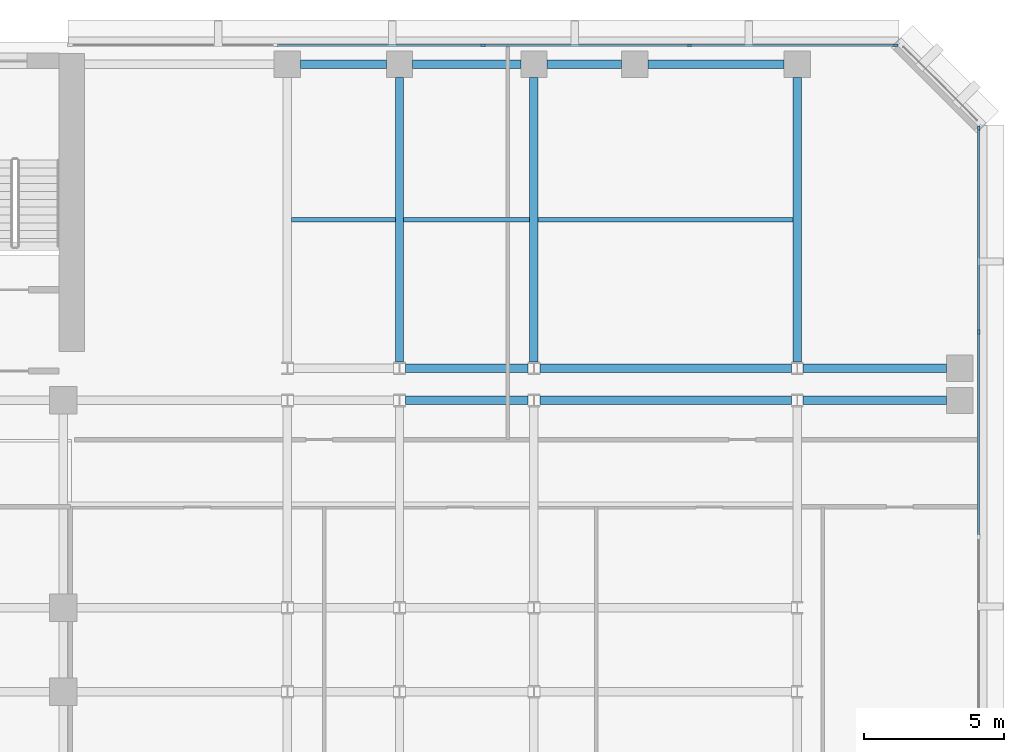
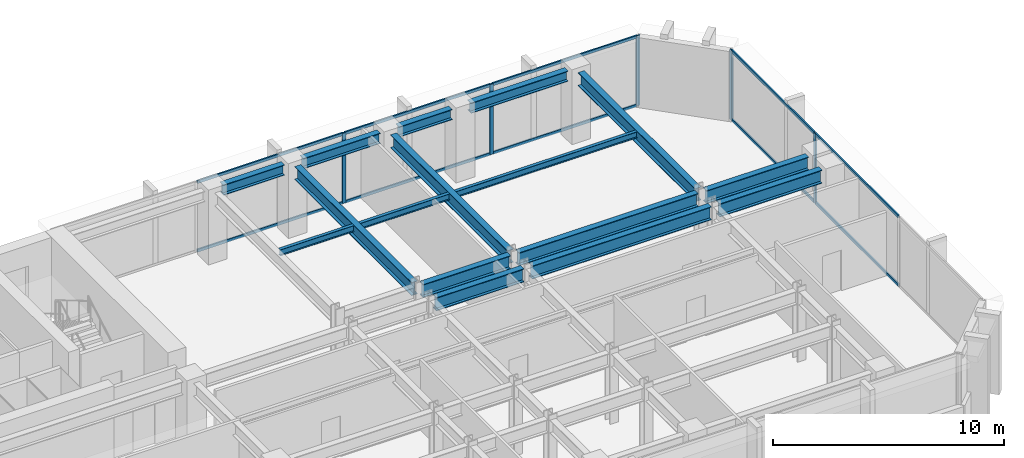
# One storey, part 5 of 13: 16 beams, 15 members, 2 elements without a shape of their own.
"""IFC4 building model written with IfcOpenShell, lengths in metres."""

from ifc_helpers import new_model, si_unit, direction, frame, origin, origin_2d, place, context, subcontext, project, spatial, rectangle, i_section, extrude, material, layer, layer_set, material_profile, profile_set, type_object, element, aggregate, save


model = new_model("IFC4")

# Units and contexts
model_context = context("Model", 3, precision=1e-05, world=origin(), true_north=direction((0.0, 1.0)))
body_context = subcontext(model_context, "Body", "Model", "MODEL_VIEW")
ifc_project = project(units=[si_unit("LENGTHUNIT", "METRE"), si_unit("AREAUNIT", "SQUARE_METRE"), si_unit("VOLUMEUNIT", "CUBIC_METRE"), si_unit("PLANEANGLEUNIT", "RADIAN"), si_unit("MASSUNIT", "GRAM", prefix="KILO")], contexts=[model_context])

# Site, building, storey
site_placement = place(None, origin())
site = spatial("IfcSite", under=ifc_project, at=site_placement, CompositionType="ELEMENT")
building_placement = place(site_placement, origin())
building = spatial("IfcBuilding", under=site, at=building_placement, Name="Kefirva Bronze Tower", CompositionType="ELEMENT")
storey_placement = place(building_placement, frame((0.0, 0.0, 102.6298828125)))
storey = spatial("IfcBuildingStorey", under=building, at=storey_placement, Name="L24", CompositionType="ELEMENT", Elevation=102.6298828125)

# Curtain wall, members
ifc_material_1 = material(Name="Bronze anodised aluminium", Category="aluminium")
ifc_layer = layer(ifc_material_1, 0.199951171875, Name="Bronze anodised aluminium")
ifc_layer_set = layer_set([ifc_layer], Name="Bronze anodised aluminium")
curtain_wall_type = type_object("IfcCurtainWallType", Name="Unitised Bronze Ribbon Curtain Wall Zone 1", PredefinedType="USERDEFINED", material=ifc_layer_set)
curtain_wall_1_placement = place(storey_placement, origin())
curtain_wall_1 = element("IfcCurtainWall", 1, at=curtain_wall_1_placement, inside=storey, type_object=curtain_wall_type, Name="L24 Curtain Wall 2", ObjectType="UNITISED CURTAIN WALL", PredefinedType="USERDEFINED")
ifc_material_profile_1 = material_profile(ifc_material_1, rectangle(XDim=0.074951171875, YDim=0.179931640625, at=origin_2d()), Name="ALU 75x180")
ifc_profile_set_1 = profile_set([ifc_material_profile_1], Name="Bronze anodised aluminium")
member_type_1 = type_object("IfcMemberType", Name="Bronze Mullion 75x180", PredefinedType="MULLION", material=ifc_profile_set_1)
member_1_placement = place(storey_placement, frame((55.8798828125, 35.6484375, 0.0), z_axis=(0.0, 0.0, 1.0), x_axis=(-1.0, 0.0, 0.0)))
member_1 = element("IfcMember", 2, at=member_1_placement, type_object=member_type_1, Name="CW-01 mullion 3", PredefinedType="MULLION", context=body_context, shape_type="SweptSolid", body=[
    extrude(rectangle(XDim=0.074951171875, YDim=0.179931640625, at=origin_2d()), origin(), (0.0, 0.0, 1.0), 3.710205078125),
])
member_2_placement = place(storey_placement, frame((55.8798828125, 42.907470703125, 0.0), z_axis=(0.0, 0.0, 1.0), x_axis=(-1.0, 0.0, 0.0)))
member_2 = element("IfcMember", 3, at=member_2_placement, type_object=member_type_1, Name="CW-01 mullion 4", PredefinedType="MULLION", context=body_context, shape_type="SweptSolid", body=[
    extrude(rectangle(XDim=0.074951171875, YDim=0.179931640625, at=origin_2d()), origin(), (0.0, 0.0, 1.0), 3.710205078125),
])

curtain_wall_2_placement = place(storey_placement, origin())
curtain_wall_2 = element("IfcCurtainWall", 4, at=curtain_wall_2_placement, inside=storey, type_object=curtain_wall_type, Name="L24 Curtain Wall 3", ObjectType="UNITISED CURTAIN WALL", PredefinedType="USERDEFINED")
member_3_placement = place(storey_placement, frame((52.907470703125, 45.8798828125, 0.0), z_axis=(0.0, 0.0, 1.0), x_axis=(0.0, -1.0, 0.0)))
member_3 = element("IfcMember", 5, at=member_3_placement, type_object=member_type_1, Name="CW-01 mullion 1", PredefinedType="MULLION", context=body_context, shape_type="SweptSolid", body=[
    extrude(rectangle(XDim=0.074951171875, YDim=0.179931640625, at=origin_2d()), origin(), (0.0, 0.0, 1.0), 3.710205078125),
])
member_4_placement = place(storey_placement, frame((45.56005859375, 45.8798828125, 0.0), z_axis=(0.0, 0.0, 1.0), x_axis=(0.0, -1.0, 0.0)))
member_4 = element("IfcMember", 6, at=member_4_placement, type_object=member_type_1, Name="CW-01 mullion 2", PredefinedType="MULLION", context=body_context, shape_type="SweptSolid", body=[
    extrude(rectangle(XDim=0.074951171875, YDim=0.179931640625, at=origin_2d()), origin(), (0.0, 0.0, 1.0), 3.710205078125),
])
member_5_placement = place(storey_placement, frame((38.175048828125, 45.8798828125, 0.0), z_axis=(0.0, 0.0, 1.0), x_axis=(0.0, -1.0, 0.0)))
member_5 = element("IfcMember", 7, at=member_5_placement, type_object=member_type_1, Name="CW-01 mullion 3", PredefinedType="MULLION", context=body_context, shape_type="SweptSolid", body=[
    extrude(rectangle(XDim=0.074951171875, YDim=0.179931640625, at=origin_2d()), origin(), (0.0, 0.0, 1.0), 3.710205078125),
])

# Member
ifc_material_profile_2 = material_profile(ifc_material_1, rectangle(XDim=0.074951171875, YDim=0.14990234375, at=origin_2d()), Name="ALU 75x150")
ifc_profile_set_2 = profile_set([ifc_material_profile_2], Name="Bronze anodised aluminium")
member_type_2 = type_object("IfcMemberType", Name="Bronze Transom 75x150", PredefinedType="USERDEFINED", material=ifc_profile_set_2)
member_6_placement = place(storey_placement, frame((55.8798828125, 28.38916015625, 0.03759765625), z_axis=(0.0, 1.0, 0.0), x_axis=(-1.0, 0.0, 0.0)))
member_6 = element("IfcMember", 8, at=member_6_placement, type_object=member_type_2, Name="CW-01 transom 2.1", ObjectType="TRANSOM", PredefinedType="USERDEFINED", context=body_context, shape_type="SweptSolid", body=[
    extrude(rectangle(XDim=0.074951171875, YDim=0.14990234375, at=origin_2d()), origin(), (0.0, 0.0, 1.0), 7.2216796875),
])

member_7_placement = place(storey_placement, frame((55.8798828125, 28.38916015625, 3.672607421875), z_axis=(0.0, 1.0, 0.0), x_axis=(-1.0, 0.0, 0.0)))
member_7 = element("IfcMember", 9, at=member_7_placement, type_object=member_type_2, Name="CW-01 transom 2.2", ObjectType="TRANSOM", PredefinedType="USERDEFINED", context=body_context, shape_type="SweptSolid", body=[
    extrude(rectangle(XDim=0.074951171875, YDim=0.14990234375, at=origin_2d()), origin(), (0.0, 0.0, 1.0), 7.2216796875),
])

member_8_placement = place(storey_placement, frame((55.8798828125, 35.685791015625, 0.03759765625), z_axis=(0.0, 1.0, 0.0), x_axis=(-1.0, 0.0, 0.0)))
member_8 = element("IfcMember", 10, at=member_8_placement, type_object=member_type_2, Name="CW-01 transom 3.1", ObjectType="TRANSOM", PredefinedType="USERDEFINED", context=body_context, shape_type="SweptSolid", body=[
    extrude(rectangle(XDim=0.074951171875, YDim=0.14990234375, at=origin_2d()), origin(), (0.0, 0.0, 1.0), 7.184326171875),
])

member_9_placement = place(storey_placement, frame((55.8798828125, 35.685791015625, 3.672607421875), z_axis=(0.0, 1.0, 0.0), x_axis=(-1.0, 0.0, 0.0)))
member_9 = element("IfcMember", 11, at=member_9_placement, type_object=member_type_2, Name="CW-01 transom 3.2", ObjectType="TRANSOM", PredefinedType="USERDEFINED", context=body_context, shape_type="SweptSolid", body=[
    extrude(rectangle(XDim=0.074951171875, YDim=0.14990234375, at=origin_2d()), origin(), (0.0, 0.0, 1.0), 7.184326171875),
])

aggregate(curtain_wall_1, [member_1, member_2, member_6, member_7, member_8, member_9])

member_10_placement = place(storey_placement, frame((52.8701171875, 45.8798828125, 0.03759765625), z_axis=(-1.0, 0.0, 0.0), x_axis=(0.0, -1.0, 0.0)))
member_10 = element("IfcMember", 12, at=member_10_placement, type_object=member_type_2, Name="CW-01 transom 1.1", ObjectType="TRANSOM", PredefinedType="USERDEFINED", context=body_context, shape_type="SweptSolid", body=[
    extrude(rectangle(XDim=0.074951171875, YDim=0.14990234375, at=origin_2d()), origin(), (0.0, 0.0, 1.0), 7.272705078125),
])

member_11_placement = place(storey_placement, frame((52.8701171875, 45.8798828125, 3.672607421875), z_axis=(-1.0, 0.0, 0.0), x_axis=(0.0, -1.0, 0.0)))
member_11 = element("IfcMember", 13, at=member_11_placement, type_object=member_type_2, Name="CW-01 transom 1.2", ObjectType="TRANSOM", PredefinedType="USERDEFINED", context=body_context, shape_type="SweptSolid", body=[
    extrude(rectangle(XDim=0.074951171875, YDim=0.14990234375, at=origin_2d()), origin(), (0.0, 0.0, 1.0), 7.272705078125),
])

member_12_placement = place(storey_placement, frame((45.5224609375, 45.8798828125, 0.03759765625), z_axis=(-1.0, 0.0, 0.0), x_axis=(0.0, -1.0, 0.0)))
member_12 = element("IfcMember", 14, at=member_12_placement, type_object=member_type_2, Name="CW-01 transom 2.1", ObjectType="TRANSOM", PredefinedType="USERDEFINED", context=body_context, shape_type="SweptSolid", body=[
    extrude(rectangle(XDim=0.074951171875, YDim=0.14990234375, at=origin_2d()), origin(), (0.0, 0.0, 1.0), 7.31005859375),
])

member_13_placement = place(storey_placement, frame((45.5224609375, 45.8798828125, 3.672607421875), z_axis=(-1.0, 0.0, 0.0), x_axis=(0.0, -1.0, 0.0)))
member_13 = element("IfcMember", 15, at=member_13_placement, type_object=member_type_2, Name="CW-01 transom 2.2", ObjectType="TRANSOM", PredefinedType="USERDEFINED", context=body_context, shape_type="SweptSolid", body=[
    extrude(rectangle(XDim=0.074951171875, YDim=0.14990234375, at=origin_2d()), origin(), (0.0, 0.0, 1.0), 7.31005859375),
])

member_14_placement = place(storey_placement, frame((38.137451171875, 45.8798828125, 0.03759765625), z_axis=(-1.0, 0.0, 0.0), x_axis=(0.0, -1.0, 0.0)))
member_14 = element("IfcMember", 16, at=member_14_placement, type_object=member_type_2, Name="CW-01 transom 3.1", ObjectType="TRANSOM", PredefinedType="USERDEFINED", context=body_context, shape_type="SweptSolid", body=[
    extrude(rectangle(XDim=0.074951171875, YDim=0.14990234375, at=origin_2d()), origin(), (0.0, 0.0, 1.0), 7.31005859375),
])

member_15_placement = place(storey_placement, frame((38.137451171875, 45.8798828125, 3.672607421875), z_axis=(-1.0, 0.0, 0.0), x_axis=(0.0, -1.0, 0.0)))
member_15 = element("IfcMember", 17, at=member_15_placement, type_object=member_type_2, Name="CW-01 transom 3.2", ObjectType="TRANSOM", PredefinedType="USERDEFINED", context=body_context, shape_type="SweptSolid", body=[
    extrude(rectangle(XDim=0.074951171875, YDim=0.14990234375, at=origin_2d()), origin(), (0.0, 0.0, 1.0), 7.31005859375),
])

aggregate(curtain_wall_2, [member_3, member_4, member_5, member_10, member_11, member_12, member_13, member_14, member_15])

# Beams
ifc_material_2 = material(Name="Steel S355", Category="steel")
ifc_material_profile_3 = material_profile(ifc_material_2, i_section(OverallWidth=0.159912109375, OverallDepth=0.330078125, WebThickness=0.007568359375, FlangeThickness=0.011474609375, at=origin_2d()), Name="IPE 330")
ifc_profile_set_3 = profile_set([ifc_material_profile_3], Name="Steel S355")
beam_type_1 = type_object("IfcBeamType", Name="Steel Floor Joist IPE 330", PredefinedType="JOIST", material=ifc_profile_set_3)
beam_1_placement = place(storey_placement, frame((31.35009765625, 39.65380859375, 3.545166015625), z_axis=(1.0, 0.0, 0.0), x_axis=(0.0, 1.0, 0.0)))
element("IfcBeam", 18, at=beam_1_placement, inside=storey, type_object=beam_type_1, Name="L24 JST-L24-31-396", PredefinedType="JOIST", context=body_context, shape_type="SweptSolid", body=[
    extrude(i_section(OverallWidth=0.159912109375, OverallDepth=0.330078125, WebThickness=0.007568359375, FlangeThickness=0.011474609375, at=origin_2d()), origin(), (0.0, 0.0, 1.0), 3.699951171875),
])
beam_2_placement = place(storey_placement, frame((35.35009765625, 39.65380859375, 3.545166015625), z_axis=(1.0, 0.0, 0.0), x_axis=(0.0, 1.0, 0.0)))
element("IfcBeam", 19, at=beam_2_placement, inside=storey, type_object=beam_type_1, Name="L24 JST-L24-35-396", PredefinedType="JOIST", context=body_context, shape_type="SweptSolid", body=[
    extrude(i_section(OverallWidth=0.159912109375, OverallDepth=0.330078125, WebThickness=0.007568359375, FlangeThickness=0.011474609375, at=origin_2d()), origin(), (0.0, 0.0, 1.0), 4.5),
])
beam_3_placement = place(storey_placement, frame((40.14990234375, 39.65380859375, 3.545166015625), z_axis=(1.0, 0.0, 0.0), x_axis=(0.0, 1.0, 0.0)))
element("IfcBeam", 20, at=beam_3_placement, inside=storey, type_object=beam_type_1, Name="L24 JST-L24-40-396", PredefinedType="JOIST", context=body_context, shape_type="SweptSolid", body=[
    extrude(i_section(OverallWidth=0.159912109375, OverallDepth=0.330078125, WebThickness=0.007568359375, FlangeThickness=0.011474609375, at=origin_2d()), origin(), (0.0, 0.0, 1.0), 9.10009765625),
])
ifc_material_profile_4 = material_profile(ifc_material_2, i_section(OverallWidth=0.300048828125, OverallDepth=0.699951171875, WebThickness=0.01708984375, FlangeThickness=0.031982421875, at=origin_2d()), Name="HEB 700")
ifc_profile_set_4 = profile_set([ifc_material_profile_4], Name="Steel S355")
beam_type_2 = type_object("IfcBeamType", Name="Steel Girder HEB 700", PredefinedType="USERDEFINED", material=ifc_profile_set_4)
beam_4_placement = place(storey_placement, frame((35.408935546875, 33.199951171875, 3.360107421875), z_axis=(1.0, 0.0, 0.0), x_axis=(0.0, 1.0, 0.0)))
element("IfcBeam", 21, at=beam_4_placement, inside=storey, type_object=beam_type_2, Name="L24 BM-L24-EW-35-332", ObjectType="GIRDER", PredefinedType="USERDEFINED", context=body_context, shape_type="SweptSolid", body=[
    extrude(i_section(OverallWidth=0.300048828125, OverallDepth=0.699951171875, WebThickness=0.01708984375, FlangeThickness=0.031982421875, at=origin_2d()), origin(), (0.0, 0.0, 1.0), 4.382080078125),
])
beam_5_placement = place(storey_placement, frame((40.208984375, 33.199951171875, 3.360107421875), z_axis=(1.0, 0.0, 0.0), x_axis=(0.0, 1.0, 0.0)))
element("IfcBeam", 22, at=beam_5_placement, inside=storey, type_object=beam_type_2, Name="L24 BM-L24-EW-40-332", ObjectType="GIRDER", PredefinedType="USERDEFINED", context=body_context, shape_type="SweptSolid", body=[
    extrude(i_section(OverallWidth=0.300048828125, OverallDepth=0.699951171875, WebThickness=0.01708984375, FlangeThickness=0.031982421875, at=origin_2d()), origin(), (0.0, 0.0, 1.0), 8.98193359375),
])
beam_6_placement = place(storey_placement, frame((49.60888671875, 33.199951171875, 3.360107421875), z_axis=(1.0, 0.0, 0.0), x_axis=(0.0, 1.0, 0.0)))
element("IfcBeam", 23, at=beam_6_placement, inside=storey, type_object=beam_type_2, Name="L24 BM-L24-EW-49-332", ObjectType="GIRDER", PredefinedType="USERDEFINED", context=body_context, shape_type="SweptSolid", body=[
    extrude(i_section(OverallWidth=0.300048828125, OverallDepth=0.699951171875, WebThickness=0.01708984375, FlangeThickness=0.031982421875, at=origin_2d()), origin(), (0.0, 0.0, 1.0), 5.12109375),
])
beam_7_placement = place(storey_placement, frame((35.408935546875, 34.35009765625, 3.360107421875), z_axis=(1.0, 0.0, 0.0), x_axis=(0.0, 1.0, 0.0)))
element("IfcBeam", 24, at=beam_7_placement, inside=storey, type_object=beam_type_2, Name="L24 BM-L24-EW-35-344", ObjectType="GIRDER", PredefinedType="USERDEFINED", context=body_context, shape_type="SweptSolid", body=[
    extrude(i_section(OverallWidth=0.300048828125, OverallDepth=0.699951171875, WebThickness=0.01708984375, FlangeThickness=0.031982421875, at=origin_2d()), origin(), (0.0, 0.0, 1.0), 4.382080078125),
])
beam_8_placement = place(storey_placement, frame((40.208984375, 34.35009765625, 3.360107421875), z_axis=(1.0, 0.0, 0.0), x_axis=(0.0, 1.0, 0.0)))
element("IfcBeam", 25, at=beam_8_placement, inside=storey, type_object=beam_type_2, Name="L24 BM-L24-EW-40-344", ObjectType="GIRDER", PredefinedType="USERDEFINED", context=body_context, shape_type="SweptSolid", body=[
    extrude(i_section(OverallWidth=0.300048828125, OverallDepth=0.699951171875, WebThickness=0.01708984375, FlangeThickness=0.031982421875, at=origin_2d()), origin(), (0.0, 0.0, 1.0), 8.98193359375),
])
beam_9_placement = place(storey_placement, frame((49.60888671875, 34.35009765625, 3.360107421875), z_axis=(1.0, 0.0, 0.0), x_axis=(0.0, 1.0, 0.0)))
element("IfcBeam", 26, at=beam_9_placement, inside=storey, type_object=beam_type_2, Name="L24 BM-L24-EW-49-344", ObjectType="GIRDER", PredefinedType="USERDEFINED", context=body_context, shape_type="SweptSolid", body=[
    extrude(i_section(OverallWidth=0.300048828125, OverallDepth=0.699951171875, WebThickness=0.01708984375, FlangeThickness=0.031982421875, at=origin_2d()), origin(), (0.0, 0.0, 1.0), 5.12109375),
])
for number, where, z_axis, x_axis, name in (
    (27, (35.199951171875, 34.577392578125, 3.360107421875), (0.0, 1.0, 0.0), (-1.0, 0.0, 0.0), "L24 BM-L24-NS-352-34"),
    (28, (40.0, 34.577392578125, 3.360107421875), (0.0, 1.0, 0.0), (-1.0, 0.0, 0.0), "L24 BM-L24-NS-400-34"),
    (29, (49.39990234375, 34.577392578125, 3.360107421875), (0.0, 1.0, 0.0), (-1.0, 0.0, 0.0), "L24 BM-L24-NS-494-34"),
):
    element("IfcBeam", number, at=place(storey_placement, frame(where, z_axis=z_axis, x_axis=x_axis)), inside=storey, type_object=beam_type_2, Name=name, ObjectType="GIRDER", PredefinedType="USERDEFINED", context=body_context, shape_type="SweptSolid", body=[
        extrude(i_section(OverallWidth=0.300048828125, OverallDepth=0.699951171875, WebThickness=0.01708984375, FlangeThickness=0.031982421875, at=origin_2d()), origin(), (0.0, 0.0, 1.0), 10.152587890625),
    ])
ifc_material_profile_5 = material_profile(ifc_material_2, i_section(OverallWidth=0.300048828125, OverallDepth=0.550048828125, WebThickness=0.014892578125, FlangeThickness=0.029052734375, at=origin_2d()), Name="HEB 550")
ifc_profile_set_5 = profile_set([ifc_material_profile_5], Name="Steel S355")
beam_type_3 = type_object("IfcBeamType", Name="Steel Spandrel HEB 550 Ext", PredefinedType="SPANDREL", material=ifc_profile_set_5)
beam_10_placement = place(storey_placement, frame((31.669921875, 45.199951171875, 3.43505859375), z_axis=(1.0, 0.0, 0.0), x_axis=(0.0, 1.0, 0.0)))
element("IfcBeam", 30, at=beam_10_placement, inside=storey, type_object=beam_type_3, Name="L24 BM-L24-EW-31-452", PredefinedType="SPANDREL", context=body_context, shape_type="SweptSolid", body=[
    extrude(i_section(OverallWidth=0.300048828125, OverallDepth=0.550048828125, WebThickness=0.014892578125, FlangeThickness=0.029052734375, at=origin_2d()), origin(), (0.0, 0.0, 1.0), 3.06005859375),
])
beam_11_placement = place(storey_placement, frame((35.669921875, 45.199951171875, 3.43505859375), z_axis=(1.0, 0.0, 0.0), x_axis=(0.0, 1.0, 0.0)))
element("IfcBeam", 31, at=beam_11_placement, inside=storey, type_object=beam_type_3, Name="L24 BM-L24-EW-35-452", PredefinedType="SPANDREL", context=body_context, shape_type="SweptSolid", body=[
    extrude(i_section(OverallWidth=0.300048828125, OverallDepth=0.550048828125, WebThickness=0.014892578125, FlangeThickness=0.029052734375, at=origin_2d()), origin(), (0.0, 0.0, 1.0), 3.860107421875),
])
beam_12_placement = place(storey_placement, frame((40.469970703125, 45.199951171875, 3.43505859375), z_axis=(1.0, 0.0, 0.0), x_axis=(0.0, 1.0, 0.0)))
element("IfcBeam", 32, at=beam_12_placement, inside=storey, type_object=beam_type_3, Name="L24 BM-L24-EW-40-452", PredefinedType="SPANDREL", context=body_context, shape_type="SweptSolid", body=[
    extrude(i_section(OverallWidth=0.300048828125, OverallDepth=0.550048828125, WebThickness=0.014892578125, FlangeThickness=0.029052734375, at=origin_2d()), origin(), (0.0, 0.0, 1.0), 2.659912109375),
])
beam_13_placement = place(storey_placement, frame((44.070068359375, 45.199951171875, 3.43505859375), z_axis=(1.0, 0.0, 0.0), x_axis=(0.0, 1.0, 0.0)))
element("IfcBeam", 33, at=beam_13_placement, inside=storey, type_object=beam_type_3, Name="L24 BM-L24-EW-43-452", PredefinedType="SPANDREL", context=body_context, shape_type="SweptSolid", body=[
    extrude(i_section(OverallWidth=0.300048828125, OverallDepth=0.550048828125, WebThickness=0.014892578125, FlangeThickness=0.029052734375, at=origin_2d()), origin(), (0.0, 0.0, 1.0), 4.85986328125),
])

save(model, "model.ifc")
